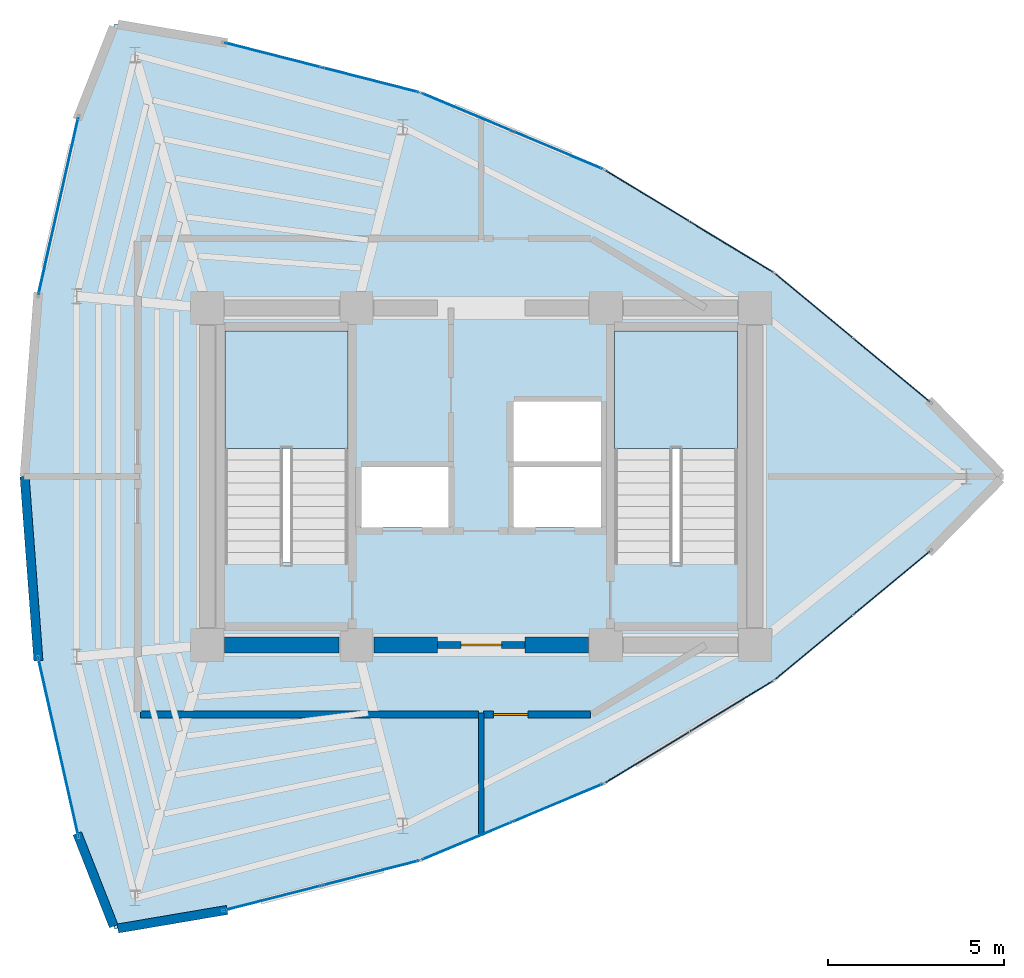
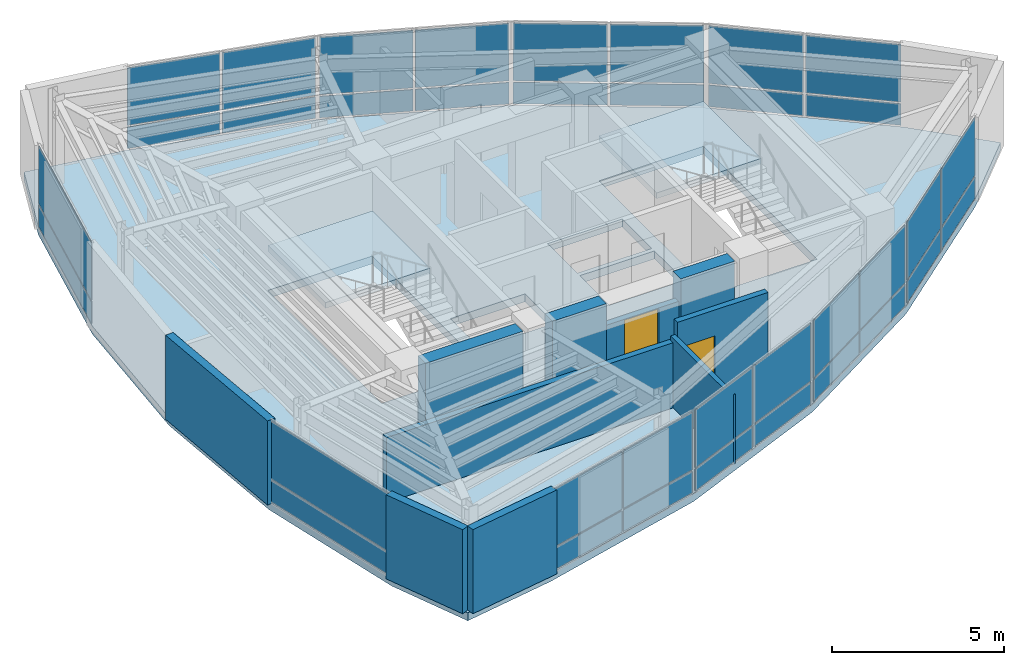
# One storey, part 11 of 14: 36 plates, 10 walls, 3 slabs, 2 doors, 2 openings, 12 elements without a shape of their own.
"""IFC4 building model written with IfcOpenShell, lengths in metres."""

from ifc_helpers import new_model, si_unit, direction, frame, frame_2d, origin, origin_2d, place, context, subcontext, project, spatial, polyline, rectangle, outline, extrude, material, layer, layer_set, type_object, element, fill, aggregate, save


model = new_model("IFC4")

# Units and contexts
model_context = context("Model", 3, precision=1e-05, world=origin(), true_north=direction((0.0, 1.0)))
body_context = subcontext(model_context, "Body", "Model", "MODEL_VIEW")
ifc_project = project(units=[si_unit("LENGTHUNIT", "METRE"), si_unit("AREAUNIT", "SQUARE_METRE"), si_unit("VOLUMEUNIT", "CUBIC_METRE"), si_unit("PLANEANGLEUNIT", "RADIAN"), si_unit("MASSUNIT", "GRAM", prefix="KILO")], contexts=[model_context])

# Site, building, storey
site_placement = place(None, origin())
site = spatial("IfcSite", under=ifc_project, at=site_placement, CompositionType="ELEMENT")
building_placement = place(site_placement, origin())
building = spatial("IfcBuilding", under=site, at=building_placement, Name="Menara Vayukalpa", CompositionType="ELEMENT")
storey_placement = place(building_placement, frame((0.0, 0.0, 299.219970703125)))
storey = spatial("IfcBuildingStorey", under=building, at=storey_placement, Name="L76", CompositionType="ELEMENT", Elevation=299.219970703125)

# Curtain wall, plates
ifc_material_1 = material(Name="Anodised Terracotta Aluminium Alloy 6063-T6", Category="masonry")
ifc_layer_1 = layer(ifc_material_1, 0.14990234375)
ifc_layer_set_1 = layer_set([ifc_layer_1], Name="Anodised Terracotta Aluminium Alloy 6063-T6")
curtain_wall_type = type_object("IfcCurtainWallType", Name="CW-CW7", PredefinedType="USERDEFINED", material=ifc_layer_set_1)
curtain_wall_1_placement = place(storey_placement, origin())
curtain_wall_1 = element("IfcCurtainWall", 1, at=curtain_wall_1_placement, inside=storey, type_object=curtain_wall_type, Name="L76 Crown Drum Screened Curtain Wall CW7 03", ObjectType="UNITISED", PredefinedType="USERDEFINED")
ifc_material_2 = material(Name="Low-E Double Glazing", Category="glass")
ifc_layer_2 = layer(ifc_material_2, 0.02587890625)
ifc_layer_set_2 = layer_set([ifc_layer_2], Name="Low-E Double Glazing")
plate_type = type_object("IfcPlateType", Name="CWP-CW7", PredefinedType="CURTAIN_PANEL", material=ifc_layer_set_2)
plate_1_placement = place(storey_placement, frame((37.28271484375, 25.031982421875, 0.06005859375), z_axis=(0.0, 0.0, 1.0), x_axis=(-0.7697490702, 0.63834658997, 0.0)))
plate_1 = element("IfcPlate", 2, at=plate_1_placement, type_object=plate_type, Name="CW7 panel 1.1", PredefinedType="CURTAIN_PANEL", context=body_context, shape_type="SweptSolid", body=[
    extrude(rectangle(XDim=2.80078125, YDim=0.02587890625, at=origin_2d()), origin(), (0.0, 0.0, 1.0), 0.760009765625),
])
plate_2_placement = place(storey_placement, frame((37.28271484375, 25.031982421875, 0.880126953125), z_axis=(0.0, 0.0, 1.0), x_axis=(-0.7697490702, 0.63834658997, 0.0)))
plate_2 = element("IfcPlate", 3, at=plate_2_placement, type_object=plate_type, Name="CW7 panel 1.2", PredefinedType="CURTAIN_PANEL", context=body_context, shape_type="SweptSolid", body=[
    extrude(rectangle(XDim=2.80078125, YDim=0.02587890625, at=origin_2d()), origin(), (0.0, 0.0, 1.0), 2.0400390625),
])
plate_3_placement = place(storey_placement, frame((35.07666015625, 26.861328125, 0.06005859375), z_axis=(0.0, 0.0, 1.0), x_axis=(-0.7697490702, 0.63834658997, 0.0)))
plate_3 = element("IfcPlate", 4, at=plate_3_placement, type_object=plate_type, Name="CW7 panel 2.1", PredefinedType="CURTAIN_PANEL", context=body_context, shape_type="SweptSolid", body=[
    extrude(rectangle(XDim=2.80078125, YDim=0.02587890625, at=origin_2d()), origin(), (0.0, 0.0, 1.0), 0.760009765625),
])
plate_4_placement = place(storey_placement, frame((35.07666015625, 26.861328125, 0.880126953125), z_axis=(0.0, 0.0, 1.0), x_axis=(-0.7697490702, 0.63834658997, 0.0)))
plate_4 = element("IfcPlate", 5, at=plate_4_placement, type_object=plate_type, Name="CW7 panel 2.2", PredefinedType="CURTAIN_PANEL", context=body_context, shape_type="SweptSolid", body=[
    extrude(rectangle(XDim=2.80078125, YDim=0.02587890625, at=origin_2d()), origin(), (0.0, 0.0, 1.0), 2.0400390625),
])
aggregate(curtain_wall_1, [plate_1, plate_2, plate_3, plate_4])

curtain_wall_2_placement = place(storey_placement, origin())
curtain_wall_2 = element("IfcCurtainWall", 6, at=curtain_wall_2_placement, inside=storey, type_object=curtain_wall_type, Name="L76 Crown Drum Screened Curtain Wall CW7 04", ObjectType="UNITISED", PredefinedType="USERDEFINED")
plate_5_placement = place(storey_placement, frame((32.72314453125, 28.541259765625, 0.06005859375), z_axis=(0.0, 0.0, 1.0), x_axis=(-0.854667083096, 0.519176441176, 0.0)))
plate_5 = element("IfcPlate", 7, at=plate_5_placement, type_object=plate_type, Name="CW7 panel 1.1", PredefinedType="CURTAIN_PANEL", context=body_context, shape_type="SweptSolid", body=[
    extrude(rectangle(XDim=2.738037109375, YDim=0.02587890625, at=origin_2d()), origin(), (0.0, 0.0, 1.0), 0.760009765625),
])
plate_6_placement = place(storey_placement, frame((32.72314453125, 28.541259765625, 0.880126953125), z_axis=(0.0, 0.0, 1.0), x_axis=(-0.854667083096, 0.519176441176, 0.0)))
plate_6 = element("IfcPlate", 8, at=plate_6_placement, type_object=plate_type, Name="CW7 panel 1.2", PredefinedType="CURTAIN_PANEL", context=body_context, shape_type="SweptSolid", body=[
    extrude(rectangle(XDim=2.738037109375, YDim=0.02587890625, at=origin_2d()), origin(), (0.0, 0.0, 1.0), 2.0400390625),
])
plate_7_placement = place(storey_placement, frame((30.327392578125, 29.99658203125, 0.06005859375), z_axis=(0.0, 0.0, 1.0), x_axis=(-0.854667083096, 0.519176441176, 0.0)))
plate_7 = element("IfcPlate", 9, at=plate_7_placement, type_object=plate_type, Name="CW7 panel 2.1", PredefinedType="CURTAIN_PANEL", context=body_context, shape_type="SweptSolid", body=[
    extrude(rectangle(XDim=2.738037109375, YDim=0.02587890625, at=origin_2d()), origin(), (0.0, 0.0, 1.0), 0.760009765625),
])
plate_8_placement = place(storey_placement, frame((30.327392578125, 29.99658203125, 0.880126953125), z_axis=(0.0, 0.0, 1.0), x_axis=(-0.854667083096, 0.519176441176, 0.0)))
plate_8 = element("IfcPlate", 10, at=plate_8_placement, type_object=plate_type, Name="CW7 panel 2.2", PredefinedType="CURTAIN_PANEL", context=body_context, shape_type="SweptSolid", body=[
    extrude(rectangle(XDim=2.738037109375, YDim=0.02587890625, at=origin_2d()), origin(), (0.0, 0.0, 1.0), 2.0400390625),
])
aggregate(curtain_wall_2, [plate_5, plate_6, plate_7, plate_8])

curtain_wall_3_placement = place(storey_placement, origin())
curtain_wall_3 = element("IfcCurtainWall", 11, at=curtain_wall_3_placement, inside=storey, type_object=curtain_wall_type, Name="L76 Crown Drum Screened Curtain Wall CW7 05", ObjectType="UNITISED", PredefinedType="USERDEFINED")
plate_9_placement = place(storey_placement, frame((27.77880859375, 31.29443359375, 0.06005859375), z_axis=(0.0, 0.0, 1.0), x_axis=(-0.922541302191, 0.385898361946, 0.0)))
plate_9 = element("IfcPlate", 12, at=plate_9_placement, type_object=plate_type, Name="CW7 panel 1.1", PredefinedType="CURTAIN_PANEL", context=body_context, shape_type="SweptSolid", body=[
    extrude(rectangle(XDim=2.738037109375, YDim=0.02587890625, at=origin_2d()), origin(), (0.0, 0.0, 1.0), 0.760009765625),
])
plate_10_placement = place(storey_placement, frame((27.77880859375, 31.29443359375, 0.880126953125), z_axis=(0.0, 0.0, 1.0), x_axis=(-0.922541302191, 0.385898361946, 0.0)))
plate_10 = element("IfcPlate", 13, at=plate_10_placement, type_object=plate_type, Name="CW7 panel 1.2", PredefinedType="CURTAIN_PANEL", context=body_context, shape_type="SweptSolid", body=[
    extrude(rectangle(XDim=2.738037109375, YDim=0.02587890625, at=origin_2d()), origin(), (0.0, 0.0, 1.0), 2.0400390625),
])
plate_11_placement = place(storey_placement, frame((25.19287109375, 32.376220703125, 0.06005859375), z_axis=(0.0, 0.0, 1.0), x_axis=(-0.922541302191, 0.385898361946, 0.0)))
plate_11 = element("IfcPlate", 14, at=plate_11_placement, type_object=plate_type, Name="CW7 panel 2.1", PredefinedType="CURTAIN_PANEL", context=body_context, shape_type="SweptSolid", body=[
    extrude(rectangle(XDim=2.738037109375, YDim=0.02587890625, at=origin_2d()), origin(), (0.0, 0.0, 1.0), 0.760009765625),
])
plate_12_placement = place(storey_placement, frame((25.19287109375, 32.376220703125, 0.880126953125), z_axis=(0.0, 0.0, 1.0), x_axis=(-0.922541302191, 0.385898361946, 0.0)))
plate_12 = element("IfcPlate", 15, at=plate_12_placement, type_object=plate_type, Name="CW7 panel 2.2", PredefinedType="CURTAIN_PANEL", context=body_context, shape_type="SweptSolid", body=[
    extrude(rectangle(XDim=2.738037109375, YDim=0.02587890625, at=origin_2d()), origin(), (0.0, 0.0, 1.0), 2.0400390625),
])
aggregate(curtain_wall_3, [plate_9, plate_10, plate_11, plate_12])

curtain_wall_4_placement = place(storey_placement, origin())
curtain_wall_4 = element("IfcCurtainWall", 16, at=curtain_wall_4_placement, inside=storey, type_object=curtain_wall_type, Name="L76 Crown Drum Screened Curtain Wall CW7 06", ObjectType="UNITISED", PredefinedType="USERDEFINED")
plate_13_placement = place(storey_placement, frame((22.449951171875, 33.291748046875, 0.06005859375), z_axis=(0.0, 0.0, 1.0), x_axis=(-0.968983924097, 0.247123764219, 0.0)))
plate_13 = element("IfcPlate", 17, at=plate_13_placement, type_object=plate_type, Name="CW7 panel 1.1", PredefinedType="CURTAIN_PANEL", context=body_context, shape_type="SweptSolid", body=[
    extrude(rectangle(XDim=2.80078125, YDim=0.02587890625, at=origin_2d()), origin(), (0.0, 0.0, 1.0), 0.760009765625),
])
plate_14_placement = place(storey_placement, frame((22.449951171875, 33.291748046875, 0.880126953125), z_axis=(0.0, 0.0, 1.0), x_axis=(-0.968983924097, 0.247123764219, 0.0)))
plate_14 = element("IfcPlate", 18, at=plate_14_placement, type_object=plate_type, Name="CW7 panel 1.2", PredefinedType="CURTAIN_PANEL", context=body_context, shape_type="SweptSolid", body=[
    extrude(rectangle(XDim=2.80078125, YDim=0.02587890625, at=origin_2d()), origin(), (0.0, 0.0, 1.0), 2.0400390625),
])
plate_15_placement = place(storey_placement, frame((19.6728515625, 34.0, 0.06005859375), z_axis=(0.0, 0.0, 1.0), x_axis=(-0.968983924097, 0.247123764219, 0.0)))
plate_15 = element("IfcPlate", 19, at=plate_15_placement, type_object=plate_type, Name="CW7 panel 2.1", PredefinedType="CURTAIN_PANEL", context=body_context, shape_type="SweptSolid", body=[
    extrude(rectangle(XDim=2.80078125, YDim=0.02587890625, at=origin_2d()), origin(), (0.0, 0.0, 1.0), 0.760009765625),
])
plate_16_placement = place(storey_placement, frame((19.6728515625, 34.0, 0.880126953125), z_axis=(0.0, 0.0, 1.0), x_axis=(-0.968983924097, 0.247123764219, 0.0)))
plate_16 = element("IfcPlate", 20, at=plate_16_placement, type_object=plate_type, Name="CW7 panel 2.2", PredefinedType="CURTAIN_PANEL", context=body_context, shape_type="SweptSolid", body=[
    extrude(rectangle(XDim=2.80078125, YDim=0.02587890625, at=origin_2d()), origin(), (0.0, 0.0, 1.0), 2.0400390625),
])
aggregate(curtain_wall_4, [plate_13, plate_14, plate_15, plate_16])

curtain_wall_5_placement = place(storey_placement, origin())
curtain_wall_5 = element("IfcCurtainWall", 21, at=curtain_wall_5_placement, inside=storey, type_object=curtain_wall_type, Name="L76 Crown Drum Screened Curtain Wall CW7 09", ObjectType="UNITISED", PredefinedType="USERDEFINED")
plate_17_placement = place(storey_placement, frame((13.558837890625, 29.69921875, 0.06005859375), z_axis=(0.0, 0.0, 1.0), x_axis=(-0.219515813421, -0.975608941973, 0.0)))
plate_17 = element("IfcPlate", 22, at=plate_17_placement, type_object=plate_type, Name="CW7 panel 1.1", PredefinedType="CURTAIN_PANEL", context=body_context, shape_type="SweptSolid", body=[
    extrude(rectangle(XDim=5.131103515625, YDim=0.02587890625, at=origin_2d()), origin(), (0.0, 0.0, 1.0), 0.760009765625),
])
plate_18_placement = place(storey_placement, frame((13.558837890625, 29.69921875, 0.880126953125), z_axis=(0.0, 0.0, 1.0), x_axis=(-0.219515813421, -0.975608941973, 0.0)))
plate_18 = element("IfcPlate", 23, at=plate_18_placement, type_object=plate_type, Name="CW7 panel 1.2", PredefinedType="CURTAIN_PANEL", context=body_context, shape_type="SweptSolid", body=[
    extrude(rectangle(XDim=5.131103515625, YDim=0.02587890625, at=origin_2d()), origin(), (0.0, 0.0, 1.0), 2.0400390625),
])
aggregate(curtain_wall_5, [plate_17, plate_18])

curtain_wall_6_placement = place(storey_placement, origin())
curtain_wall_6 = element("IfcCurtainWall", 24, at=curtain_wall_6_placement, inside=storey, type_object=curtain_wall_type, Name="L76 Crown Drum Screened Curtain Wall CW7 12", ObjectType="UNITISED", PredefinedType="USERDEFINED")
plate_19_placement = place(storey_placement, frame((13.558837890625, 14.30078125, 0.06005859375), z_axis=(0.0, 0.0, 1.0), x_axis=(0.219515813421, -0.975608941973, 0.0)))
plate_19 = element("IfcPlate", 25, at=plate_19_placement, type_object=plate_type, Name="CW7 panel 1.1", PredefinedType="CURTAIN_PANEL", context=body_context, shape_type="SweptSolid", body=[
    extrude(rectangle(XDim=5.131103515625, YDim=0.02587890625, at=origin_2d()), origin(), (0.0, 0.0, 1.0), 0.760009765625),
])
plate_20_placement = place(storey_placement, frame((13.558837890625, 14.30078125, 0.880126953125), z_axis=(0.0, 0.0, 1.0), x_axis=(0.219515813421, -0.975608941973, 0.0)))
plate_20 = element("IfcPlate", 26, at=plate_20_placement, type_object=plate_type, Name="CW7 panel 1.2", PredefinedType="CURTAIN_PANEL", context=body_context, shape_type="SweptSolid", body=[
    extrude(rectangle(XDim=5.131103515625, YDim=0.02587890625, at=origin_2d()), origin(), (0.0, 0.0, 1.0), 2.0400390625),
])
aggregate(curtain_wall_6, [plate_19, plate_20])

curtain_wall_7_placement = place(storey_placement, origin())
curtain_wall_7 = element("IfcCurtainWall", 27, at=curtain_wall_7_placement, inside=storey, type_object=curtain_wall_type, Name="L76 Crown Drum Screened Curtain Wall CW7 15", ObjectType="UNITISED", PredefinedType="USERDEFINED")
plate_21_placement = place(storey_placement, frame((19.6728515625, 10.0, 0.06005859375), z_axis=(0.0, 0.0, 1.0), x_axis=(0.968983924097, 0.247123764219, 0.0)))
plate_21 = element("IfcPlate", 28, at=plate_21_placement, type_object=plate_type, Name="CW7 panel 1.1", PredefinedType="CURTAIN_PANEL", context=body_context, shape_type="SweptSolid", body=[
    extrude(rectangle(XDim=2.80078125, YDim=0.02587890625, at=origin_2d()), origin(), (0.0, 0.0, 1.0), 0.760009765625),
])
plate_22_placement = place(storey_placement, frame((19.6728515625, 10.0, 0.880126953125), z_axis=(0.0, 0.0, 1.0), x_axis=(0.968983924097, 0.247123764219, 0.0)))
plate_22 = element("IfcPlate", 29, at=plate_22_placement, type_object=plate_type, Name="CW7 panel 1.2", PredefinedType="CURTAIN_PANEL", context=body_context, shape_type="SweptSolid", body=[
    extrude(rectangle(XDim=2.80078125, YDim=0.02587890625, at=origin_2d()), origin(), (0.0, 0.0, 1.0), 2.0400390625),
])
plate_23_placement = place(storey_placement, frame((22.449951171875, 10.708251953125, 0.06005859375), z_axis=(0.0, 0.0, 1.0), x_axis=(0.968983924097, 0.247123764219, 0.0)))
plate_23 = element("IfcPlate", 30, at=plate_23_placement, type_object=plate_type, Name="CW7 panel 2.1", PredefinedType="CURTAIN_PANEL", context=body_context, shape_type="SweptSolid", body=[
    extrude(rectangle(XDim=2.80078125, YDim=0.02587890625, at=origin_2d()), origin(), (0.0, 0.0, 1.0), 0.760009765625),
])
plate_24_placement = place(storey_placement, frame((22.449951171875, 10.708251953125, 0.880126953125), z_axis=(0.0, 0.0, 1.0), x_axis=(0.968983924097, 0.247123764219, 0.0)))
plate_24 = element("IfcPlate", 31, at=plate_24_placement, type_object=plate_type, Name="CW7 panel 2.2", PredefinedType="CURTAIN_PANEL", context=body_context, shape_type="SweptSolid", body=[
    extrude(rectangle(XDim=2.80078125, YDim=0.02587890625, at=origin_2d()), origin(), (0.0, 0.0, 1.0), 2.0400390625),
])
aggregate(curtain_wall_7, [plate_21, plate_22, plate_23, plate_24])

curtain_wall_8_placement = place(storey_placement, origin())
curtain_wall_8 = element("IfcCurtainWall", 32, at=curtain_wall_8_placement, inside=storey, type_object=curtain_wall_type, Name="L76 Crown Drum Screened Curtain Wall CW7 16", ObjectType="UNITISED", PredefinedType="USERDEFINED")
plate_25_placement = place(storey_placement, frame((25.19287109375, 11.623779296875, 0.06005859375), z_axis=(0.0, 0.0, 1.0), x_axis=(0.922541302191, 0.385898361946, 0.0)))
plate_25 = element("IfcPlate", 33, at=plate_25_placement, type_object=plate_type, Name="CW7 panel 1.1", PredefinedType="CURTAIN_PANEL", context=body_context, shape_type="SweptSolid", body=[
    extrude(rectangle(XDim=2.738037109375, YDim=0.02587890625, at=origin_2d()), origin(), (0.0, 0.0, 1.0), 0.760009765625),
])
plate_26_placement = place(storey_placement, frame((25.19287109375, 11.623779296875, 0.880126953125), z_axis=(0.0, 0.0, 1.0), x_axis=(0.922541302191, 0.385898361946, 0.0)))
plate_26 = element("IfcPlate", 34, at=plate_26_placement, type_object=plate_type, Name="CW7 panel 1.2", PredefinedType="CURTAIN_PANEL", context=body_context, shape_type="SweptSolid", body=[
    extrude(rectangle(XDim=2.738037109375, YDim=0.02587890625, at=origin_2d()), origin(), (0.0, 0.0, 1.0), 2.0400390625),
])
plate_27_placement = place(storey_placement, frame((27.77880859375, 12.70556640625, 0.06005859375), z_axis=(0.0, 0.0, 1.0), x_axis=(0.922541302191, 0.385898361946, 0.0)))
plate_27 = element("IfcPlate", 35, at=plate_27_placement, type_object=plate_type, Name="CW7 panel 2.1", PredefinedType="CURTAIN_PANEL", context=body_context, shape_type="SweptSolid", body=[
    extrude(rectangle(XDim=2.738037109375, YDim=0.02587890625, at=origin_2d()), origin(), (0.0, 0.0, 1.0), 0.760009765625),
])
plate_28_placement = place(storey_placement, frame((27.77880859375, 12.70556640625, 0.880126953125), z_axis=(0.0, 0.0, 1.0), x_axis=(0.922541302191, 0.385898361946, 0.0)))
plate_28 = element("IfcPlate", 36, at=plate_28_placement, type_object=plate_type, Name="CW7 panel 2.2", PredefinedType="CURTAIN_PANEL", context=body_context, shape_type="SweptSolid", body=[
    extrude(rectangle(XDim=2.738037109375, YDim=0.02587890625, at=origin_2d()), origin(), (0.0, 0.0, 1.0), 2.0400390625),
])
aggregate(curtain_wall_8, [plate_25, plate_26, plate_27, plate_28])

curtain_wall_9_placement = place(storey_placement, origin())
curtain_wall_9 = element("IfcCurtainWall", 37, at=curtain_wall_9_placement, inside=storey, type_object=curtain_wall_type, Name="L76 Crown Drum Screened Curtain Wall CW7 17", ObjectType="UNITISED", PredefinedType="USERDEFINED")
plate_29_placement = place(storey_placement, frame((30.327392578125, 14.00341796875, 0.06005859375), z_axis=(0.0, 0.0, 1.0), x_axis=(0.854667083096, 0.519176441176, 0.0)))
plate_29 = element("IfcPlate", 38, at=plate_29_placement, type_object=plate_type, Name="CW7 panel 1.1", PredefinedType="CURTAIN_PANEL", context=body_context, shape_type="SweptSolid", body=[
    extrude(rectangle(XDim=2.738037109375, YDim=0.02587890625, at=origin_2d()), origin(), (0.0, 0.0, 1.0), 0.760009765625),
])
plate_30_placement = place(storey_placement, frame((30.327392578125, 14.00341796875, 0.880126953125), z_axis=(0.0, 0.0, 1.0), x_axis=(0.854667083096, 0.519176441176, 0.0)))
plate_30 = element("IfcPlate", 39, at=plate_30_placement, type_object=plate_type, Name="CW7 panel 1.2", PredefinedType="CURTAIN_PANEL", context=body_context, shape_type="SweptSolid", body=[
    extrude(rectangle(XDim=2.738037109375, YDim=0.02587890625, at=origin_2d()), origin(), (0.0, 0.0, 1.0), 2.0400390625),
])
plate_31_placement = place(storey_placement, frame((32.72314453125, 15.458740234375, 0.06005859375), z_axis=(0.0, 0.0, 1.0), x_axis=(0.854667083096, 0.519176441176, 0.0)))
plate_31 = element("IfcPlate", 40, at=plate_31_placement, type_object=plate_type, Name="CW7 panel 2.1", PredefinedType="CURTAIN_PANEL", context=body_context, shape_type="SweptSolid", body=[
    extrude(rectangle(XDim=2.738037109375, YDim=0.02587890625, at=origin_2d()), origin(), (0.0, 0.0, 1.0), 0.760009765625),
])
plate_32_placement = place(storey_placement, frame((32.72314453125, 15.458740234375, 0.880126953125), z_axis=(0.0, 0.0, 1.0), x_axis=(0.854667083096, 0.519176441176, 0.0)))
plate_32 = element("IfcPlate", 41, at=plate_32_placement, type_object=plate_type, Name="CW7 panel 2.2", PredefinedType="CURTAIN_PANEL", context=body_context, shape_type="SweptSolid", body=[
    extrude(rectangle(XDim=2.738037109375, YDim=0.02587890625, at=origin_2d()), origin(), (0.0, 0.0, 1.0), 2.0400390625),
])
aggregate(curtain_wall_9, [plate_29, plate_30, plate_31, plate_32])

curtain_wall_10_placement = place(storey_placement, origin())
curtain_wall_10 = element("IfcCurtainWall", 42, at=curtain_wall_10_placement, inside=storey, type_object=curtain_wall_type, Name="L76 Crown Drum Screened Curtain Wall CW7 18", ObjectType="UNITISED", PredefinedType="USERDEFINED")
plate_33_placement = place(storey_placement, frame((35.07666015625, 17.138671875, 0.06005859375), z_axis=(0.0, 0.0, 1.0), x_axis=(0.7697490702, 0.63834658997, 0.0)))
plate_33 = element("IfcPlate", 43, at=plate_33_placement, type_object=plate_type, Name="CW7 panel 1.1", PredefinedType="CURTAIN_PANEL", context=body_context, shape_type="SweptSolid", body=[
    extrude(rectangle(XDim=2.80078125, YDim=0.02587890625, at=origin_2d()), origin(), (0.0, 0.0, 1.0), 0.760009765625),
])
plate_34_placement = place(storey_placement, frame((35.07666015625, 17.138671875, 0.880126953125), z_axis=(0.0, 0.0, 1.0), x_axis=(0.7697490702, 0.63834658997, 0.0)))
plate_34 = element("IfcPlate", 44, at=plate_34_placement, type_object=plate_type, Name="CW7 panel 1.2", PredefinedType="CURTAIN_PANEL", context=body_context, shape_type="SweptSolid", body=[
    extrude(rectangle(XDim=2.80078125, YDim=0.02587890625, at=origin_2d()), origin(), (0.0, 0.0, 1.0), 2.0400390625),
])
plate_35_placement = place(storey_placement, frame((37.28271484375, 18.968017578125, 0.06005859375), z_axis=(0.0, 0.0, 1.0), x_axis=(0.7697490702, 0.63834658997, 0.0)))
plate_35 = element("IfcPlate", 45, at=plate_35_placement, type_object=plate_type, Name="CW7 panel 2.1", PredefinedType="CURTAIN_PANEL", context=body_context, shape_type="SweptSolid", body=[
    extrude(rectangle(XDim=2.80078125, YDim=0.02587890625, at=origin_2d()), origin(), (0.0, 0.0, 1.0), 0.760009765625),
])
plate_36_placement = place(storey_placement, frame((37.28271484375, 18.968017578125, 0.880126953125), z_axis=(0.0, 0.0, 1.0), x_axis=(0.7697490702, 0.63834658997, 0.0)))
plate_36 = element("IfcPlate", 46, at=plate_36_placement, type_object=plate_type, Name="CW7 panel 2.2", PredefinedType="CURTAIN_PANEL", context=body_context, shape_type="SweptSolid", body=[
    extrude(rectangle(XDim=2.80078125, YDim=0.02587890625, at=origin_2d()), origin(), (0.0, 0.0, 1.0), 2.0400390625),
])
aggregate(curtain_wall_10, [plate_33, plate_34, plate_35, plate_36])

# Slab
ifc_material_3 = material(Name="Concrete C40/50", Category="concrete")
ifc_layer_3 = layer(ifc_material_3, 0.280029296875)
ifc_layer_set_3 = layer_set([ifc_layer_3], Name="Concrete C40/50")
slab_type_1 = type_object("IfcSlabType", Name="SLB-FL280", PredefinedType="FLOOR", material=ifc_layer_set_3)
slab_1_placement = place(storey_placement, frame((0.0, 0.0, -0.280029296875)))
element("IfcSlab", 47, at=slab_1_placement, inside=storey, type_object=slab_type_1, Name="L76 Structural Floor Slab", PredefinedType="FLOOR", context=body_context, shape_type="SweptSolid", body=[
    extrude(outline(polyline([(38.41064453125, 19.903564453125), (40.468994140625, 22.0), (38.41064453125, 24.096435546875), (33.94873046875, 27.796875), (29.101806640625, 30.7412109375), (23.869873046875, 32.9296875), (18.2529296875, 34.362060546875), (15.16552734375, 34.88623046875), (14.13623046875, 32.265625), (12.9814453125, 27.1328125), (12.596435546875, 22.0), (12.9814453125, 16.8671875), (14.13623046875, 11.734375), (15.16552734375, 9.11376953125), (18.2529296875, 9.637939453125), (23.869873046875, 11.0703125), (29.101806640625, 13.2587890625), (33.94873046875, 16.203125), (38.41064453125, 19.903564453125)]), holes=[polyline([(21.800048828125, 19.550048828125), (21.800048828125, 26.14990234375), (18.300048828125, 26.14990234375), (18.300048828125, 19.550048828125), (21.800048828125, 19.550048828125)]), polyline([(32.89990234375, 19.550048828125), (32.89990234375, 26.14990234375), (29.39990234375, 26.14990234375), (29.39990234375, 19.550048828125), (32.89990234375, 19.550048828125)]), polyline([(22.179931640625, 20.550048828125), (24.679931640625, 20.550048828125), (24.679931640625, 22.27001953125), (22.179931640625, 22.27001953125), (22.179931640625, 20.550048828125)]), polyline([(26.52001953125, 20.550048828125), (29.02001953125, 20.550048828125), (29.02001953125, 22.27001953125), (26.52001953125, 22.27001953125), (26.52001953125, 20.550048828125)]), polyline([(26.52001953125, 22.419921875), (29.02001953125, 22.419921875), (29.02001953125, 24.139892578125), (26.52001953125, 24.139892578125), (26.52001953125, 22.419921875)])]), origin(), (0.0, 0.0, 1.0), 0.280029296875),
])

# Stair, slab
ifc_material_4 = material(Name="Precast Concrete C40/50", Category="concrete")
stair_type = type_object("IfcStairType", Name="STR-T07", PredefinedType="DOUBLE_RETURN_STAIR", material=ifc_material_4)
stair_1_placement = place(storey_placement, origin())
stair_1 = element("IfcStair", 48, at=stair_1_placement, inside=storey, type_object=stair_type, Name="L76 Core Exit Stair ST-1", PredefinedType="DOUBLE_RETURN_STAIR")
ifc_material_5 = material(Name="Precast Concrete C40/50", Category="concrete")
ifc_layer_4 = layer(ifc_material_5, 0.199951171875)
ifc_layer_set_4 = layer_set([ifc_layer_4], Name="Precast Concrete C40/50")
slab_type_2 = type_object("IfcSlabType", Name="SLB-LND200", PredefinedType="LANDING", material=ifc_layer_set_4)
slab_2_placement = place(storey_placement, frame((0.0, 0.0, 1.400146484375)))
slab_2 = element("IfcSlab", 49, at=slab_2_placement, type_object=slab_type_2, Name="ST-1 landing 1", PredefinedType="LANDING", context=body_context, shape_type="SweptSolid", body=[
    extrude(outline(polyline([(21.800048828125, 22.800048828125), (21.800048828125, 26.14990234375), (18.300048828125, 26.14990234375), (18.300048828125, 22.800048828125), (21.800048828125, 22.800048828125)])), origin(), (0.0, 0.0, 1.0), 0.199951171875),
])
aggregate(stair_1, [slab_2])

stair_2_placement = place(storey_placement, origin())
stair_2 = element("IfcStair", 50, at=stair_2_placement, inside=storey, type_object=stair_type, Name="L76 Core Exit Stair ST-2", PredefinedType="DOUBLE_RETURN_STAIR")
slab_3_placement = place(storey_placement, frame((0.0, 0.0, 1.400146484375)))
slab_3 = element("IfcSlab", 51, at=slab_3_placement, type_object=slab_type_2, Name="ST-2 landing 1", PredefinedType="LANDING", context=body_context, shape_type="SweptSolid", body=[
    extrude(outline(polyline([(32.89990234375, 22.800048828125), (32.89990234375, 26.14990234375), (29.39990234375, 26.14990234375), (29.39990234375, 22.800048828125), (32.89990234375, 22.800048828125)])), origin(), (0.0, 0.0, 1.0), 0.199951171875),
])
aggregate(stair_2, [slab_3])

# Walls
ifc_material_6 = material(Name="Concrete C50/60", Category="concrete")
ifc_layer_5 = layer(ifc_material_6, 0.449951171875)
ifc_layer_set_5 = layer_set([ifc_layer_5], Name="Concrete C50/60")
wall_type_1 = type_object("IfcWallType", Name="WAL-CW450", PredefinedType="SHEAR", material=ifc_layer_set_5)
wall_1_placement = place(storey_placement, frame((18.294921875, 17.199951171875, 0.0), z_axis=(0.0, 0.0, 1.0), x_axis=(1.0, 0.0, 0.0)))
element("IfcWall", 52, at=wall_1_placement, inside=storey, type_object=wall_type_1, Name="L76 Buttressed Core Shear Wall CWS1", PredefinedType="SHEAR", context=body_context, shape_type="SweptSolid", body=[
    extrude(rectangle(XDim=3.260009765625, YDim=0.449951171875, at=frame_2d((1.6298828125, 0.0))), origin(), (0.0, 0.0, 1.0), 2.97998046875),
])
wall_2_placement = place(storey_placement, frame((22.544921875, 17.199951171875, 0.0), z_axis=(0.0, 0.0, 1.0), x_axis=(1.0, 0.0, 0.0)))
element("IfcWall", 53, at=wall_2_placement, inside=storey, type_object=wall_type_1, Name="L76 Buttressed Core Shear Wall CWS2", PredefinedType="SHEAR", context=body_context, shape_type="SweptSolid", body=[
    extrude(rectangle(XDim=1.80517578125, YDim=0.449951171875, at=frame_2d((0.902587890625, 0.0))), origin(), (0.0, 0.0, 1.0), 2.97998046875),
])
wall_3_placement = place(storey_placement, frame((26.85009765625, 17.199951171875, 0.0), z_axis=(0.0, 0.0, 1.0), x_axis=(1.0, 0.0, 0.0)))
element("IfcWall", 54, at=wall_3_placement, inside=storey, type_object=wall_type_1, Name="L76 Buttressed Core Shear Wall CWS3", PredefinedType="SHEAR", context=body_context, shape_type="SweptSolid", body=[
    extrude(rectangle(XDim=1.804931640625, YDim=0.449951171875, at=frame_2d((0.90234375, 0.0))), origin(), (0.0, 0.0, 1.0), 2.97998046875),
])
ifc_material_7 = material(Name="Insulated Precast Concrete C40/50", Category="concrete")
ifc_layer_6 = layer(ifc_material_7, 0.260009765625)
ifc_layer_set_6 = layer_set([ifc_layer_6], Name="Insulated Precast Concrete C40/50")
wall_type_2 = type_object("IfcWallType", Name="WAL-EXT260", PredefinedType="PARTITIONING", material=ifc_layer_set_6)
wall_4_placement = place(storey_placement, frame((12.989501953125, 16.757568359375, 0.0), z_axis=(0.0, 0.0, 1.0), x_axis=(-0.074768012725, 0.99720095481, 0.0)))
element("IfcWall", 55, at=wall_4_placement, inside=storey, type_object=wall_type_2, Name="L76 Perimeter Terracotta Pier Wall 11", PredefinedType="PARTITIONING", context=body_context, shape_type="SweptSolid", body=[
    extrude(rectangle(XDim=5.257080078125, YDim=0.260009765625, at=frame_2d((2.62841796875, 0.0))), origin(), (0.0, 0.0, 1.0), 2.97998046875),
])
wall_5_placement = place(storey_placement, frame((15.133544921875, 9.195068359375, 0.0), z_axis=(0.0, 0.0, 1.0), x_axis=(-0.365495346637, 0.930813166853, 0.0)))
element("IfcWall", 56, at=wall_5_placement, inside=storey, type_object=wall_type_2, Name="L76 Perimeter Terracotta Pier Wall 13", PredefinedType="PARTITIONING", context=body_context, shape_type="SweptSolid", body=[
    extrude(rectangle(XDim=2.838134765625, YDim=0.260009765625, at=frame_2d((1.4189453125, 0.0))), origin(), (0.0, 0.0, 1.0), 2.97998046875),
])
wall_6_placement = place(storey_placement, frame((18.366455078125, 9.656982421875, 0.0), z_axis=(0.0, 0.0, 1.0), x_axis=(-0.985905089134, -0.167305574383, 0.0)))
element("IfcWall", 57, at=wall_6_placement, inside=storey, type_object=wall_type_2, Name="L76 Perimeter Terracotta Pier Wall 14", PredefinedType="PARTITIONING", context=body_context, shape_type="SweptSolid", body=[
    extrude(rectangle(XDim=3.1591796875, YDim=0.260009765625, at=frame_2d((1.57958984375, 0.0))), origin(), (0.0, 0.0, 1.0), 2.97998046875),
])
ifc_material_8 = material(Name="Lightweight Concrete Blockwork C16/20", Category="masonry")
ifc_layer_7 = layer(ifc_material_8, 0.159912109375)
ifc_layer_set_7 = layer_set([ifc_layer_7], Name="Lightweight Concrete Blockwork C16/20")
wall_type_3 = type_object("IfcWallType", Name="WAL-FR150", PredefinedType="PARTITIONING", material=ifc_layer_set_7)
wall_7_placement = place(storey_placement, frame((25.60009765625, 11.783203125, 0.0), z_axis=(0.0, 0.0, 1.0), x_axis=(0.0, 1.0, 0.0)))
element("IfcWall", 58, at=wall_7_placement, inside=storey, type_object=wall_type_3, Name="L76 Interior Partition IW-L76-RDIV01", PredefinedType="PARTITIONING", context=body_context, shape_type="SweptSolid", body=[
    extrude(rectangle(XDim=3.48681640625, YDim=0.159912109375, at=frame_2d((1.743408203125, 0.0))), origin(), (0.0, 0.0, 1.0), 2.4599609375),
])

# Wall, opening, door
ifc_material_9 = material(Name="Lightweight Concrete Blockwork C16/20", Category="masonry")
ifc_layer_8 = layer(ifc_material_9, 0.199951171875)
ifc_layer_set_8 = layer_set([ifc_layer_8], Name="Lightweight Concrete Blockwork C16/20")
wall_type_4 = type_object("IfcWallType", Name="WAL-FR200", PredefinedType="PARTITIONING", material=ifc_layer_set_8)
wall_8_placement = place(storey_placement, frame((24.35009765625, 17.199951171875, 0.0), z_axis=(0.0, 0.0, 1.0), x_axis=(1.0, 0.0, 0.0)))
wall_8 = element("IfcWall", 59, at=wall_8_placement, inside=storey, type_object=wall_type_4, Name="L76 Interior Partition IW-L76-FFLS", PredefinedType="PARTITIONING", context=body_context, shape_type="SweptSolid", body=[
    extrude(rectangle(XDim=2.5, YDim=0.199951171875, at=frame_2d((1.25, 0.0))), origin(), (0.0, 0.0, 1.0), 2.110107421875),
])
opening_1_placement = place(wall_8_placement, frame((0.679931640625, 0.0, 0.0)))
opening_1 = element("IfcOpeningElement", 60, at=opening_1_placement, cuts=wall_8, Name="Opening ID2", PredefinedType="OPENING", context=body_context, shape_type="SweptSolid", body=[
    extrude(rectangle(XDim=1.14990234375, YDim=2.080078125, at=frame_2d((0.574951171875, 1.0400390625))), frame((0.0, 0.10986328125, 0.0), z_axis=(0.0, -1.0, 0.0), x_axis=(1.0, 0.0, 0.0)), (0.0, 0.0, 1.0), 0.219970703125),
])
ifc_material_10 = material(Name="Fire-Rated Powder-Coated Steel Door", Category="steel")
door_type_1 = type_object("IfcDoorType", Name="DR-FD60W", OperationType="NOTDEFINED", PredefinedType="DOOR", material=ifc_material_10)
door_1_placement = place(opening_1_placement, origin())
door_1 = element("IfcDoor", 61, at=door_1_placement, inside=storey, type_object=door_type_1, Name="L76 Interior Door DR-L76-FFLS", OperationType="SINGLE_SWING_RIGHT", OverallHeight=2.080078125, OverallWidth=1.14990234375, PredefinedType="DOOR", context=body_context, shape_type="SweptSolid", body=[
    extrude(rectangle(XDim=1.14990234375, YDim=2.080078125, at=frame_2d((0.574951171875, 1.0400390625))), frame((0.0, 0.02490234375, 0.0), z_axis=(0.0, -1.0, 0.0), x_axis=(1.0, 0.0, 0.0)), (0.0, 0.0, 1.0), 0.050048828125),
])
fill(opening_1, door_1)

# Wall
wall_9_placement = place(storey_placement, frame((15.89990234375, 15.219970703125, 0.0), z_axis=(0.0, 0.0, 1.0), x_axis=(1.0, 0.0, 0.0)))
element("IfcWall", 62, at=wall_9_placement, inside=storey, type_object=wall_type_4, Name="L76 Interior Partition IW-L76-CRM01-2", PredefinedType="PARTITIONING", context=body_context, shape_type="SweptSolid", body=[
    extrude(rectangle(XDim=9.630126953125, YDim=0.199951171875, at=frame_2d((4.81494140625, 0.0))), origin(), (0.0, 0.0, 1.0), 2.31005859375),
])

# Wall, opening, door
wall_10_placement = place(storey_placement, frame((25.669921875, 15.219970703125, 0.0), z_axis=(0.0, 0.0, 1.0), x_axis=(1.0, 0.0, 0.0)))
wall_10 = element("IfcWall", 63, at=wall_10_placement, inside=storey, type_object=wall_type_4, Name="L76 Interior Partition IW-L76-CRM02-1", PredefinedType="PARTITIONING", context=body_context, shape_type="SweptSolid", body=[
    extrude(rectangle(XDim=3.035888671875, YDim=0.199951171875, at=frame_2d((1.51806640625, 0.0))), origin(), (0.0, 0.0, 1.0), 2.97998046875),
])
opening_2_placement = place(wall_10_placement, frame((0.280029296875, 0.0, 0.0)))
opening_2 = element("IfcOpeningElement", 64, at=opening_2_placement, cuts=wall_10, Name="Opening ID3", PredefinedType="OPENING", context=body_context, shape_type="SweptSolid", body=[
    extrude(rectangle(XDim=0.97998046875, YDim=2.06005859375, at=frame_2d((0.489990234375, 1.030029296875))), frame((0.0, 0.10986328125, 0.0), z_axis=(0.0, -1.0, 0.0), x_axis=(1.0, 0.0, 0.0)), (0.0, 0.0, 1.0), 0.219970703125),
])
ifc_material_11 = material(Name="Fire-Rated Powder-Coated Steel Door", Category="steel")
door_type_2 = type_object("IfcDoorType", Name="DR-FD60", OperationType="NOTDEFINED", PredefinedType="DOOR", material=ifc_material_11)
door_2_placement = place(opening_2_placement, origin())
door_2 = element("IfcDoor", 65, at=door_2_placement, inside=storey, type_object=door_type_2, Name="L76 Interior Door DR-L76-RM02", OperationType="SINGLE_SWING_RIGHT", OverallHeight=2.06005859375, OverallWidth=0.97998046875, PredefinedType="DOOR", context=body_context, shape_type="SweptSolid", body=[
    extrude(rectangle(XDim=0.97998046875, YDim=2.06005859375, at=frame_2d((0.489990234375, 1.030029296875))), frame((0.0, 0.02490234375, 0.0), z_axis=(0.0, -1.0, 0.0), x_axis=(1.0, 0.0, 0.0)), (0.0, 0.0, 1.0), 0.050048828125),
])
fill(opening_2, door_2)

save(model, "model.ifc")
